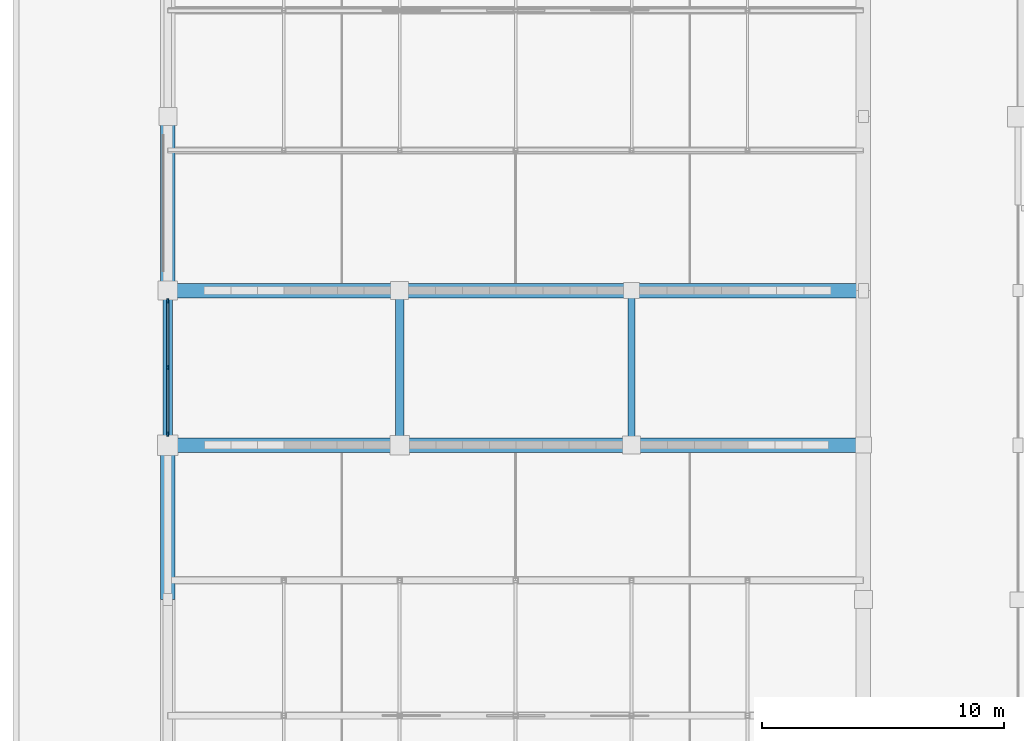
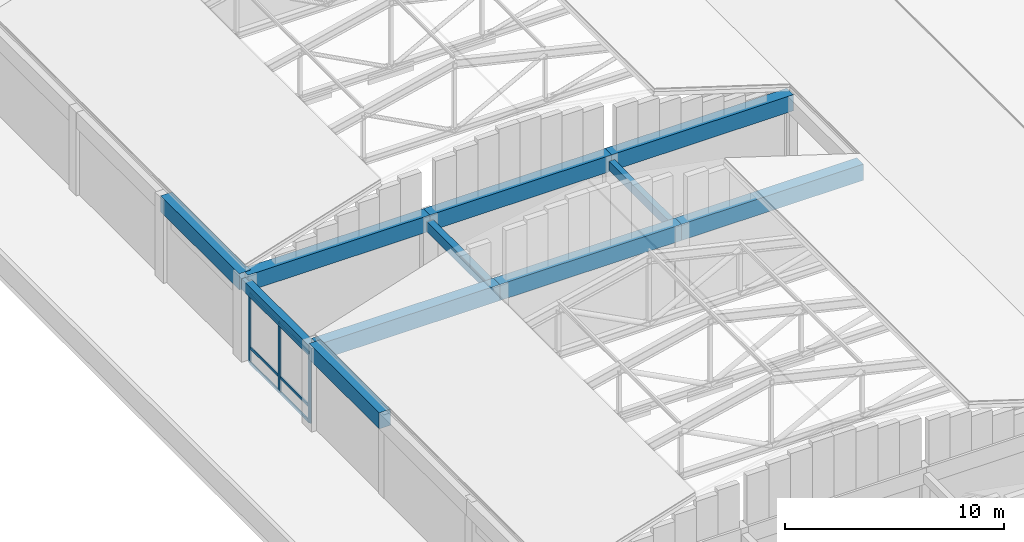
# One storey, part 9 of 61: 11 beams, 9 members, 1 element without a shape of its own.
"""IFC4 building model written with IfcOpenShell, lengths in metres."""

from ifc_helpers import new_model, si_unit, direction, frame, origin, origin_2d, place, context, subcontext, project, spatial, rectangle, extrude, material, material_profile, profile_set, type_object, element, aggregate, save


model = new_model("IFC4")

# Units and contexts
model_context = context("Model", 3, precision=1e-05, world=origin(), true_north=direction((0.0, 1.0)))
body_context = subcontext(model_context, "Body", "Model", "MODEL_VIEW")
ifc_project = project(units=[si_unit("LENGTHUNIT", "METRE"), si_unit("AREAUNIT", "SQUARE_METRE"), si_unit("VOLUMEUNIT", "CUBIC_METRE"), si_unit("PLANEANGLEUNIT", "RADIAN"), si_unit("MASSUNIT", "GRAM", prefix="KILO")], contexts=[model_context])

# Site, building, storey
site_placement = place(None, origin())
site = spatial("IfcSite", under=ifc_project, at=site_placement, CompositionType="ELEMENT")
building_placement = place(site_placement, origin())
building = spatial("IfcBuilding", under=site, at=building_placement, Name="Vellmiral Cinema and Media Centre", CompositionType="ELEMENT")
storey_placement = place(building_placement, frame((0.0, 0.0, 10.800048828125)))
storey = spatial("IfcBuildingStorey", under=building, at=storey_placement, Name="L02", CompositionType="ELEMENT", Elevation=10.800048828125)

# Beams
ifc_material_1 = material(Name="Concrete C40/50", Category="concrete")
ifc_material_profile_1 = material_profile(ifc_material_1, rectangle(XDim=0.300048828125, YDim=0.5, at=origin_2d()), Name="RC 300x500")
ifc_profile_set_1 = profile_set([ifc_material_profile_1], Name="Concrete C40/50")
beam_type_1 = type_object("IfcBeamType", Name="BM-RC-300x500", PredefinedType="BEAM", material=ifc_profile_set_1)
beam_1_placement = place(storey_placement, frame((25.60009765625, 65.60009765625, 4.244873046875), z_axis=(0.0, 1.0, 0.0), x_axis=(-1.0, 0.0, 0.0)))
element("IfcBeam", 1, at=beam_1_placement, inside=storey, type_object=beam_type_1, Name="Grid Beam L02-Y104", PredefinedType="BEAM", context=body_context, shape_type="SweptSolid", body=[
    extrude(rectangle(XDim=0.300048828125, YDim=0.5, at=origin_2d()), origin(), (0.0, 0.0, 1.0), 6.39990234375),
])
ifc_material_2 = material(Name="Concrete C40/50", Category="concrete")
ifc_material_profile_2 = material_profile(ifc_material_2, rectangle(XDim=0.35009765625, YDim=0.550048828125, at=origin_2d()), Name="RC 350x550")
ifc_profile_set_2 = profile_set([ifc_material_profile_2], Name="Concrete C40/50")
beam_type_2 = type_object("IfcBeamType", Name="BM-RC-350x550", PredefinedType="BEAM", material=ifc_profile_set_2)
beam_2_placement = place(storey_placement, frame((16.0, 65.60009765625, 4.219970703125), z_axis=(0.0, 1.0, 0.0), x_axis=(-1.0, 0.0, 0.0)))
element("IfcBeam", 2, at=beam_2_placement, inside=storey, type_object=beam_type_2, Name="Grid Beam L02-Y102", PredefinedType="BEAM", context=body_context, shape_type="SweptSolid", body=[
    extrude(rectangle(XDim=0.35009765625, YDim=0.550048828125, at=origin_2d()), origin(), (0.0, 0.0, 1.0), 6.39990234375),
])

# Curtain wall, members
ifc_material_3 = material(Name="Thermally Broken Aluminium and Triple Glazing", Category="aluminium")
curtain_wall_type = type_object("IfcCurtainWallType", Name="CW-LIB-BAY", PredefinedType="USERDEFINED", material=ifc_material_3)
curtain_wall_placement = place(storey_placement, origin())
curtain_wall = element("IfcCurtainWall", 3, at=curtain_wall_placement, inside=storey, type_object=curtain_wall_type, Name="Curtain Wall L02-B077", ObjectType="STICK CURTAIN WALL", PredefinedType="USERDEFINED")
ifc_material_4 = material(Name="Thermally Broken Anodised Aluminium", Category="aluminium")
ifc_material_profile_3 = material_profile(ifc_material_4, rectangle(XDim=0.070068359375, YDim=0.179931640625, at=origin_2d()), Name="MULL 70x180")
ifc_profile_set_3 = profile_set([ifc_material_profile_3], Name="Thermally Broken Anodised Aluminium")
member_type_1 = type_object("IfcMemberType", Name="CWM-70x180", PredefinedType="MULLION", material=ifc_profile_set_3)
member_1_placement = place(storey_placement, frame((6.39990234375, 71.56494140625, 0.0), z_axis=(0.0, 0.0, 1.0), x_axis=(1.0, 0.0, 0.0)))
member_1 = element("IfcMember", 4, at=member_1_placement, type_object=member_type_1, Name="CW-03 mullion 1", PredefinedType="MULLION", context=body_context, shape_type="SweptSolid", body=[
    extrude(rectangle(XDim=0.070068359375, YDim=0.179931640625, at=origin_2d()), origin(), (0.0, 0.0, 1.0), 3.89990234375),
])
member_2_placement = place(storey_placement, frame((6.39990234375, 68.8125, 0.0), z_axis=(0.0, 0.0, 1.0), x_axis=(1.0, 0.0, 0.0)))
member_2 = element("IfcMember", 5, at=member_2_placement, type_object=member_type_1, Name="CW-03 mullion 2", PredefinedType="MULLION", context=body_context, shape_type="SweptSolid", body=[
    extrude(rectangle(XDim=0.070068359375, YDim=0.179931640625, at=origin_2d()), origin(), (0.0, 0.0, 1.0), 3.89990234375),
])
member_3_placement = place(storey_placement, frame((6.39990234375, 66.06005859375, 0.0), z_axis=(0.0, 0.0, 1.0), x_axis=(1.0, 0.0, 0.0)))
member_3 = element("IfcMember", 6, at=member_3_placement, type_object=member_type_1, Name="CW-03 mullion 3", PredefinedType="MULLION", context=body_context, shape_type="SweptSolid", body=[
    extrude(rectangle(XDim=0.070068359375, YDim=0.179931640625, at=origin_2d()), origin(), (0.0, 0.0, 1.0), 3.89990234375),
])
ifc_material_5 = material(Name="Thermally Broken Anodised Aluminium", Category="aluminium")
ifc_material_profile_4 = material_profile(ifc_material_5, rectangle(XDim=0.070068359375, YDim=0.14990234375, at=origin_2d()), Name="MULL 70x150")
ifc_profile_set_4 = profile_set([ifc_material_profile_4], Name="Thermally Broken Anodised Aluminium")
member_type_2 = type_object("IfcMemberType", Name="CWT-70x150", PredefinedType="USERDEFINED", material=ifc_profile_set_4)
member_4_placement = place(storey_placement, frame((6.39990234375, 71.530029296875, 0.034912109375), z_axis=(0.0, -1.0, 0.0), x_axis=(1.0, 0.0, 0.0)))
member_4 = element("IfcMember", 7, at=member_4_placement, type_object=member_type_2, Name="CW-03 transom 1.1", ObjectType="TRANSOM", PredefinedType="USERDEFINED", context=body_context, shape_type="SweptSolid", body=[
    extrude(rectangle(XDim=0.070068359375, YDim=0.14990234375, at=origin_2d()), origin(), (0.0, 0.0, 1.0), 2.6826171875),
])
member_5_placement = place(storey_placement, frame((6.39990234375, 71.530029296875, 0.89990234375), z_axis=(0.0, -1.0, 0.0), x_axis=(1.0, 0.0, 0.0)))
member_5 = element("IfcMember", 8, at=member_5_placement, type_object=member_type_2, Name="CW-03 transom 1.2", ObjectType="TRANSOM", PredefinedType="USERDEFINED", context=body_context, shape_type="SweptSolid", body=[
    extrude(rectangle(XDim=0.070068359375, YDim=0.14990234375, at=origin_2d()), origin(), (0.0, 0.0, 1.0), 2.6826171875),
])
member_6_placement = place(storey_placement, frame((6.39990234375, 71.530029296875, 3.864990234375), z_axis=(0.0, -1.0, 0.0), x_axis=(1.0, 0.0, 0.0)))
member_6 = element("IfcMember", 9, at=member_6_placement, type_object=member_type_2, Name="CW-03 transom 1.3", ObjectType="TRANSOM", PredefinedType="USERDEFINED", context=body_context, shape_type="SweptSolid", body=[
    extrude(rectangle(XDim=0.070068359375, YDim=0.14990234375, at=origin_2d()), origin(), (0.0, 0.0, 1.0), 2.6826171875),
])
member_7_placement = place(storey_placement, frame((6.39990234375, 68.777587890625, 0.034912109375), z_axis=(0.0, -1.0, 0.0), x_axis=(1.0, 0.0, 0.0)))
member_7 = element("IfcMember", 10, at=member_7_placement, type_object=member_type_2, Name="CW-03 transom 2.1", ObjectType="TRANSOM", PredefinedType="USERDEFINED", context=body_context, shape_type="SweptSolid", body=[
    extrude(rectangle(XDim=0.070068359375, YDim=0.14990234375, at=origin_2d()), origin(), (0.0, 0.0, 1.0), 2.6826171875),
])
member_8_placement = place(storey_placement, frame((6.39990234375, 68.777587890625, 0.89990234375), z_axis=(0.0, -1.0, 0.0), x_axis=(1.0, 0.0, 0.0)))
member_8 = element("IfcMember", 11, at=member_8_placement, type_object=member_type_2, Name="CW-03 transom 2.2", ObjectType="TRANSOM", PredefinedType="USERDEFINED", context=body_context, shape_type="SweptSolid", body=[
    extrude(rectangle(XDim=0.070068359375, YDim=0.14990234375, at=origin_2d()), origin(), (0.0, 0.0, 1.0), 2.6826171875),
])
member_9_placement = place(storey_placement, frame((6.39990234375, 68.777587890625, 3.864990234375), z_axis=(0.0, -1.0, 0.0), x_axis=(1.0, 0.0, 0.0)))
member_9 = element("IfcMember", 12, at=member_9_placement, type_object=member_type_2, Name="CW-03 transom 2.3", ObjectType="TRANSOM", PredefinedType="USERDEFINED", context=body_context, shape_type="SweptSolid", body=[
    extrude(rectangle(XDim=0.070068359375, YDim=0.14990234375, at=origin_2d()), origin(), (0.0, 0.0, 1.0), 2.6826171875),
])
aggregate(curtain_wall, [member_1, member_2, member_3, member_4, member_5, member_6, member_7, member_8, member_9])

# Beams
ifc_material_6 = material(Name="Concrete C40/50", Category="concrete")
ifc_material_profile_5 = material_profile(ifc_material_6, rectangle(XDim=0.60009765625, YDim=0.89990234375, at=origin_2d()), Name="RC 600x900")
ifc_profile_set_5 = profile_set([ifc_material_profile_5], Name="Concrete C40/50")
beam_type_3 = type_object("IfcBeamType", Name="RING-BM-600x900", PredefinedType="BEAM", material=ifc_profile_set_5)
for number, where, z_axis, x_axis, name in (
    (13, (6.39990234375, 65.60009765625, 4.349853515625), (1.0, 0.0, 0.0), (0.0, 1.0, 0.0), "Cinema Screen 2 Ring Beam 04"),
    (14, (16.0, 65.60009765625, 4.349853515625), (1.0, 0.0, 0.0), (0.0, 1.0, 0.0), "Cinema Screen 2 Ring Beam 05"),
):
    element("IfcBeam", number, at=place(storey_placement, frame(where, z_axis=z_axis, x_axis=x_axis)), inside=storey, type_object=beam_type_3, Name=name, PredefinedType="BEAM", context=body_context, shape_type="SweptSolid", body=[
        extrude(rectangle(XDim=0.60009765625, YDim=0.89990234375, at=origin_2d()), origin(), (0.0, 0.0, 1.0), 9.60009765625),
    ])
beam_3_placement = place(storey_placement, frame((25.60009765625, 65.60009765625, 4.349853515625), z_axis=(1.0, 0.0, 0.0), x_axis=(0.0, 1.0, 0.0)))
element("IfcBeam", 15, at=beam_3_placement, inside=storey, type_object=beam_type_3, Name="Cinema Screen 2 Ring Beam 06", PredefinedType="BEAM", context=body_context, shape_type="SweptSolid", body=[
    extrude(rectangle(XDim=0.60009765625, YDim=0.89990234375, at=origin_2d()), origin(), (0.0, 0.0, 1.0), 9.599853515625),
])
beam_4_placement = place(storey_placement, frame((6.39990234375, 59.199951171875, 4.349853515625), z_axis=(0.0, 1.0, 0.0), x_axis=(-1.0, 0.0, 0.0)))
element("IfcBeam", 16, at=beam_4_placement, inside=storey, type_object=beam_type_3, Name="Cinema Screen 2 Ring Beam 09", PredefinedType="BEAM", context=body_context, shape_type="SweptSolid", body=[
    extrude(rectangle(XDim=0.60009765625, YDim=0.89990234375, at=origin_2d()), origin(), (0.0, 0.0, 1.0), 6.400146484375),
])
for number, where, z_axis, x_axis, name in (
    (17, (6.39990234375, 72.0, 4.349853515625), (1.0, 0.0, 0.0), (0.0, 1.0, 0.0), "Cinema Screen 3 Ring Beam 01"),
    (18, (16.0, 72.0, 4.349853515625), (1.0, 0.0, 0.0), (0.0, 1.0, 0.0), "Cinema Screen 3 Ring Beam 02"),
):
    element("IfcBeam", number, at=place(storey_placement, frame(where, z_axis=z_axis, x_axis=x_axis)), inside=storey, type_object=beam_type_3, Name=name, PredefinedType="BEAM", context=body_context, shape_type="SweptSolid", body=[
        extrude(rectangle(XDim=0.60009765625, YDim=0.89990234375, at=origin_2d()), origin(), (0.0, 0.0, 1.0), 9.60009765625),
    ])
beam_5_placement = place(storey_placement, frame((25.60009765625, 72.0, 4.349853515625), z_axis=(1.0, 0.0, 0.0), x_axis=(0.0, 1.0, 0.0)))
element("IfcBeam", 19, at=beam_5_placement, inside=storey, type_object=beam_type_3, Name="Cinema Screen 3 Ring Beam 03", PredefinedType="BEAM", context=body_context, shape_type="SweptSolid", body=[
    extrude(rectangle(XDim=0.60009765625, YDim=0.89990234375, at=origin_2d()), origin(), (0.0, 0.0, 1.0), 9.599853515625),
])
beam_6_placement = place(storey_placement, frame((6.39990234375, 72.0, 4.349853515625), z_axis=(0.0, 1.0, 0.0), x_axis=(-1.0, 0.0, 0.0)))
element("IfcBeam", 20, at=beam_6_placement, inside=storey, type_object=beam_type_3, Name="Cinema Screen 3 Ring Beam 07", PredefinedType="BEAM", context=body_context, shape_type="SweptSolid", body=[
    extrude(rectangle(XDim=0.60009765625, YDim=0.89990234375, at=origin_2d()), origin(), (0.0, 0.0, 1.0), 7.199951171875),
])
ifc_material_7 = material(Name="Vosges Red Sandstone Masonry", Category="masonry")
ifc_material_profile_6 = material_profile(ifc_material_7, rectangle(XDim=0.3798828125, YDim=0.580078125, at=origin_2d()), Name="SAND 380x580")
ifc_profile_set_6 = profile_set([ifc_material_profile_6], Name="Vosges Red Sandstone Masonry")
beam_type_4 = type_object("IfcBeamType", Name="SPD-SAND-380x580", PredefinedType="SPANDREL", material=ifc_profile_set_6)
beam_7_placement = place(storey_placement, frame((6.39990234375, 65.60009765625, 4.204833984375), z_axis=(0.0, 1.0, 0.0), x_axis=(-1.0, 0.0, 0.0)))
element("IfcBeam", 21, at=beam_7_placement, inside=storey, type_object=beam_type_4, Name="Grid Beam L02-Y100", PredefinedType="SPANDREL", context=body_context, shape_type="SweptSolid", body=[
    extrude(rectangle(XDim=0.3798828125, YDim=0.580078125, at=origin_2d()), origin(), (0.0, 0.0, 1.0), 6.39990234375),
])

save(model, "model.ifc")
